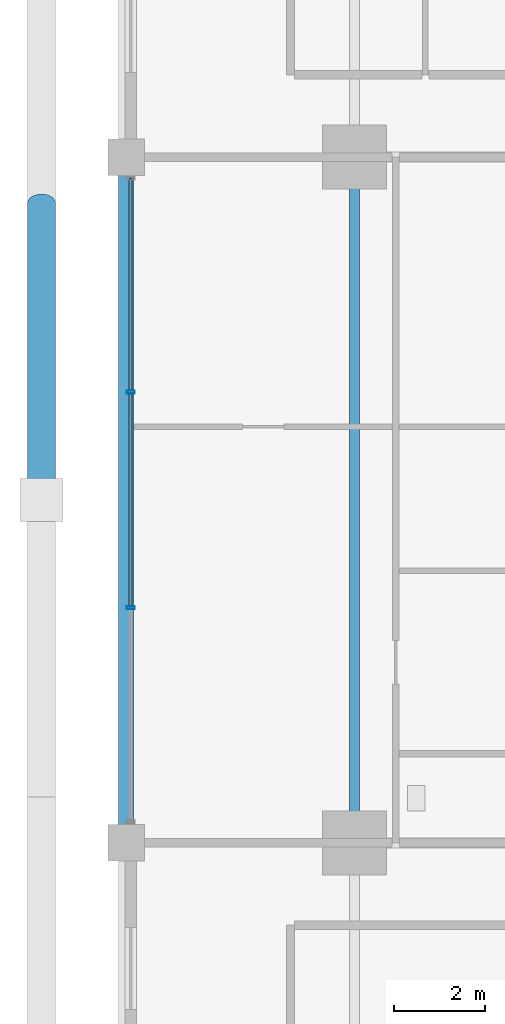
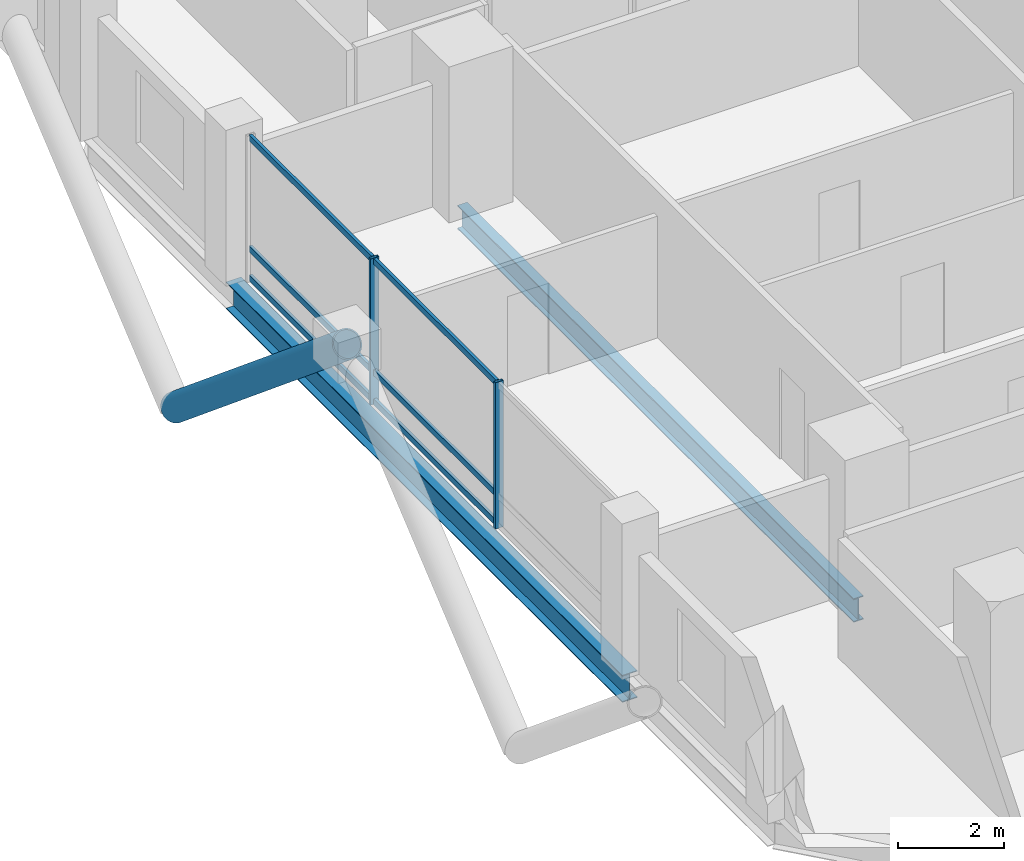
# One storey, part 6 of 24: 9 members, 2 beams, 1 element without a shape of its own.
"""IFC4 building model written with IfcOpenShell, lengths in metres."""

from ifc_helpers import new_model, si_unit, direction, frame, origin, origin_2d, place, context, subcontext, project, spatial, hollow_rectangle, hollow_circle, i_section, extrude, material, layer, layer_set, material_profile, profile_set, type_object, element, aggregate, save


model = new_model("IFC4")

# Units and contexts
model_context = context("Model", 3, precision=1e-05, world=origin(), true_north=direction((0.0, 1.0)))
body_context = subcontext(model_context, "Body", "Model", "MODEL_VIEW")
ifc_project = project(units=[si_unit("LENGTHUNIT", "METRE"), si_unit("AREAUNIT", "SQUARE_METRE"), si_unit("VOLUMEUNIT", "CUBIC_METRE"), si_unit("PLANEANGLEUNIT", "RADIAN"), si_unit("MASSUNIT", "GRAM", prefix="KILO")], contexts=[model_context])

# Site, building, storey
site_placement = place(None, origin())
site = spatial("IfcSite", under=ifc_project, at=site_placement, CompositionType="ELEMENT")
building_placement = place(site_placement, origin())
building = spatial("IfcBuilding", under=site, at=building_placement, Name="Barlavira Tower and Art Museum", CompositionType="ELEMENT")
storey_placement = place(building_placement, frame((0.0, 0.0, 46.800048828125)))
storey = spatial("IfcBuildingStorey", under=building, at=storey_placement, Name="L10", CompositionType="ELEMENT", Elevation=46.800048828125)

# Curtain wall, members
ifc_material_1 = material(Name="Low-iron coastal laminated glass", Category="glass")
ifc_layer = layer(ifc_material_1, 0.179931640625, Name="Low-iron coastal laminated glass")
ifc_layer_set = layer_set([ifc_layer], Name="Low-iron coastal laminated glass")
curtain_wall_type = type_object("IfcCurtainWallType", Name="Pale-Metal Unitised Curtain Wall Zone 1", PredefinedType="NOTDEFINED", material=ifc_layer_set)
curtain_wall_placement = place(storey_placement, origin())
curtain_wall = element("IfcCurtainWall", 1, at=curtain_wall_placement, inside=storey, type_object=curtain_wall_type, Name="L10 Curtain Wall CW1-L10-W-B3", PredefinedType="NOTDEFINED")
ifc_material_2 = material(Name="Pale anodised aluminium", Category="aluminium")
ifc_material_profile_1 = material_profile(ifc_material_2, hollow_rectangle(XDim=0.06494140625, YDim=0.179931640625, WallThickness=0.00390625, at=origin_2d()), Name="ALU-MULL 65x180x4")
ifc_profile_set_1 = profile_set([ifc_material_profile_1], Name="Pale anodised aluminium")
member_type_1 = type_object("IfcMemberType", Name="Curtain Wall Pale-Metal Mullion 65x180", PredefinedType="MULLION", material=ifc_profile_set_1)
member_1_placement = place(storey_placement, frame((-21.89990234375, 2.360107421875, 0.0), z_axis=(0.0, 0.0, 1.0), x_axis=(0.0, -1.0, 0.0)))
member_1 = element("IfcMember", 2, at=member_1_placement, type_object=member_type_1, Name="CW1-L10-W-B3 Mullion 1", PredefinedType="MULLION", context=body_context, shape_type="SweptSolid", body=[
    extrude(hollow_rectangle(XDim=0.06494140625, YDim=0.179931640625, WallThickness=0.00390625, at=origin_2d()), origin(), (0.0, 0.0, 1.0), 3.3798828125),
])
member_2_placement = place(storey_placement, frame((-21.89990234375, -2.360107421875, 0.0), z_axis=(0.0, 0.0, 1.0), x_axis=(0.0, -1.0, 0.0)))
member_2 = element("IfcMember", 3, at=member_2_placement, type_object=member_type_1, Name="CW1-L10-W-B3 Mullion 2", PredefinedType="MULLION", context=body_context, shape_type="SweptSolid", body=[
    extrude(hollow_rectangle(XDim=0.06494140625, YDim=0.179931640625, WallThickness=0.00390625, at=origin_2d()), origin(), (0.0, 0.0, 1.0), 3.3798828125),
])
ifc_material_profile_2 = material_profile(ifc_material_2, hollow_rectangle(XDim=0.06494140625, YDim=0.139892578125, WallThickness=0.00390625, at=origin_2d()), Name="ALU-TRAN 65x140x4")
ifc_profile_set_2 = profile_set([ifc_material_profile_2], Name="Pale anodised aluminium")
member_type_2 = type_object("IfcMemberType", Name="Curtain Wall Pale-Metal Transom 65x140", PredefinedType="USERDEFINED", material=ifc_profile_set_2)
member_3_placement = place(storey_placement, frame((-21.89990234375, 7.034912109375, 0.070068359375), z_axis=(0.0, -1.0, 0.0), x_axis=(1.0, 0.0, 0.0)))
member_3 = element("IfcMember", 4, at=member_3_placement, type_object=member_type_2, Name="CW1-L10-W-B3 Transom 0.1", ObjectType="TRANSOM", PredefinedType="USERDEFINED", context=body_context, shape_type="SweptSolid", body=[
    extrude(hollow_rectangle(XDim=0.06494140625, YDim=0.139892578125, WallThickness=0.00390625, at=origin_2d()), origin(), (0.0, 0.0, 1.0), 4.6298828125),
])
member_4_placement = place(storey_placement, frame((-21.89990234375, 7.034912109375, 0.743896484375), z_axis=(0.0, -1.0, 0.0), x_axis=(1.0, 0.0, 0.0)))
member_4 = element("IfcMember", 5, at=member_4_placement, type_object=member_type_2, Name="CW1-L10-W-B3 Transom 0.2", ObjectType="TRANSOM", PredefinedType="USERDEFINED", context=body_context, shape_type="SweptSolid", body=[
    extrude(hollow_rectangle(XDim=0.06494140625, YDim=0.139892578125, WallThickness=0.00390625, at=origin_2d()), origin(), (0.0, 0.0, 1.0), 4.6298828125),
])
member_5_placement = place(storey_placement, frame((-21.89990234375, 7.034912109375, 3.31005859375), z_axis=(0.0, -1.0, 0.0), x_axis=(1.0, 0.0, 0.0)))
member_5 = element("IfcMember", 6, at=member_5_placement, type_object=member_type_2, Name="CW1-L10-W-B3 Transom 0.3", ObjectType="TRANSOM", PredefinedType="USERDEFINED", context=body_context, shape_type="SweptSolid", body=[
    extrude(hollow_rectangle(XDim=0.06494140625, YDim=0.139892578125, WallThickness=0.00390625, at=origin_2d()), origin(), (0.0, 0.0, 1.0), 4.6298828125),
])
member_6_placement = place(storey_placement, frame((-21.89990234375, 2.31494140625, 0.070068359375), z_axis=(0.0, -1.0, 0.0), x_axis=(1.0, 0.0, 0.0)))
member_6 = element("IfcMember", 7, at=member_6_placement, type_object=member_type_2, Name="CW1-L10-W-B3 Transom 1.1", ObjectType="TRANSOM", PredefinedType="USERDEFINED", context=body_context, shape_type="SweptSolid", body=[
    extrude(hollow_rectangle(XDim=0.06494140625, YDim=0.139892578125, WallThickness=0.00390625, at=origin_2d()), origin(), (0.0, 0.0, 1.0), 4.6298828125),
])
member_7_placement = place(storey_placement, frame((-21.89990234375, 2.31494140625, 0.743896484375), z_axis=(0.0, -1.0, 0.0), x_axis=(1.0, 0.0, 0.0)))
member_7 = element("IfcMember", 8, at=member_7_placement, type_object=member_type_2, Name="CW1-L10-W-B3 Transom 1.2", ObjectType="TRANSOM", PredefinedType="USERDEFINED", context=body_context, shape_type="SweptSolid", body=[
    extrude(hollow_rectangle(XDim=0.06494140625, YDim=0.139892578125, WallThickness=0.00390625, at=origin_2d()), origin(), (0.0, 0.0, 1.0), 4.6298828125),
])
member_8_placement = place(storey_placement, frame((-21.89990234375, 2.31494140625, 3.31005859375), z_axis=(0.0, -1.0, 0.0), x_axis=(1.0, 0.0, 0.0)))
member_8 = element("IfcMember", 9, at=member_8_placement, type_object=member_type_2, Name="CW1-L10-W-B3 Transom 1.3", ObjectType="TRANSOM", PredefinedType="USERDEFINED", context=body_context, shape_type="SweptSolid", body=[
    extrude(hollow_rectangle(XDim=0.06494140625, YDim=0.139892578125, WallThickness=0.00390625, at=origin_2d()), origin(), (0.0, 0.0, 1.0), 4.6298828125),
])
aggregate(curtain_wall, [member_1, member_2, member_3, member_4, member_5, member_6, member_7, member_8])

# Member
ifc_material_3 = material(Name="Steel S355", Category="steel")
ifc_material_profile_3 = material_profile(ifc_material_3, hollow_circle(Radius=0.304931640625, WallThickness=0.028076171875, at=origin_2d()), Name="CHS 610.0x28.0")
ifc_profile_set_3 = profile_set([ifc_material_profile_3], Name="Steel S355")
member_type_3 = type_object("IfcMemberType", Name="Pale-Metal Exoskeleton Diagrid Tube CHS 610x28 Steel S355", PredefinedType="BRACE", material=ifc_profile_set_3)
member_9_placement = place(storey_placement, frame((-23.85009765625, 6.5, -1.920166015625), z_axis=(0.0, -0.76918185268, 0.639029950399), x_axis=(1.0, 0.0, 0.0)))
element("IfcMember", 10, at=member_9_placement, inside=storey, type_object=member_type_3, Name="L10 Exoskeleton Diagrid Tube W", PredefinedType="BRACE", context=body_context, shape_type="SweptSolid", body=[
    extrude(hollow_circle(Radius=0.304931640625, WallThickness=0.028076171875, at=origin_2d()), origin(), (0.0, 0.0, 1.0), 8.450439453125),
])

# Beams
ifc_material_profile_4 = material_profile(ifc_material_3, i_section(OverallWidth=0.327880859375, OverallDepth=0.62890625, WebThickness=0.013916015625, FlangeThickness=0.021484375, at=origin_2d()), Name="W610x174.0")
ifc_profile_set_4 = profile_set([ifc_material_profile_4], Name="Steel S355")
beam_type_1 = type_object("IfcBeamType", Name="Perimeter Spandrel Edge Beam W610x174 Steel S355", PredefinedType="SPANDREL", material=ifc_profile_set_4)
beam_1_placement = place(storey_placement, frame((-22.0, -7.5, -0.53466796875), z_axis=(0.0, 1.0, 0.0), x_axis=(-1.0, 0.0, 0.0)))
element("IfcBeam", 11, at=beam_1_placement, inside=storey, type_object=beam_type_1, Name="L10 Spandrel 14", PredefinedType="SPANDREL", context=body_context, shape_type="SweptSolid", body=[
    extrude(i_section(OverallWidth=0.327880859375, OverallDepth=0.62890625, WebThickness=0.013916015625, FlangeThickness=0.021484375, at=origin_2d()), origin(), (0.0, 0.0, 1.0), 15.0),
])
ifc_material_profile_5 = material_profile(ifc_material_3, i_section(OverallWidth=0.214111328125, OverallDepth=0.549072265625, WebThickness=0.0146484375, FlangeThickness=0.023681640625, at=origin_2d()), Name="W530x138.0")
ifc_profile_set_5 = profile_set([ifc_material_profile_5], Name="Steel S355")
beam_type_2 = type_object("IfcBeamType", Name="Zone 1 Primary Floor Girder W530x138 Steel S355", PredefinedType="BEAM", material=ifc_profile_set_5)
beam_2_placement = place(storey_placement, frame((-17.0, -7.5, -0.49462890625), z_axis=(0.0, 1.0, 0.0), x_axis=(-1.0, 0.0, 0.0)))
element("IfcBeam", 12, at=beam_2_placement, inside=storey, type_object=beam_type_2, Name="L10 Girder M-W2", PredefinedType="BEAM", context=body_context, shape_type="SweptSolid", body=[
    extrude(i_section(OverallWidth=0.214111328125, OverallDepth=0.549072265625, WebThickness=0.0146484375, FlangeThickness=0.023681640625, at=origin_2d()), origin(), (0.0, 0.0, 1.0), 15.0),
])

save(model, "model.ifc")
